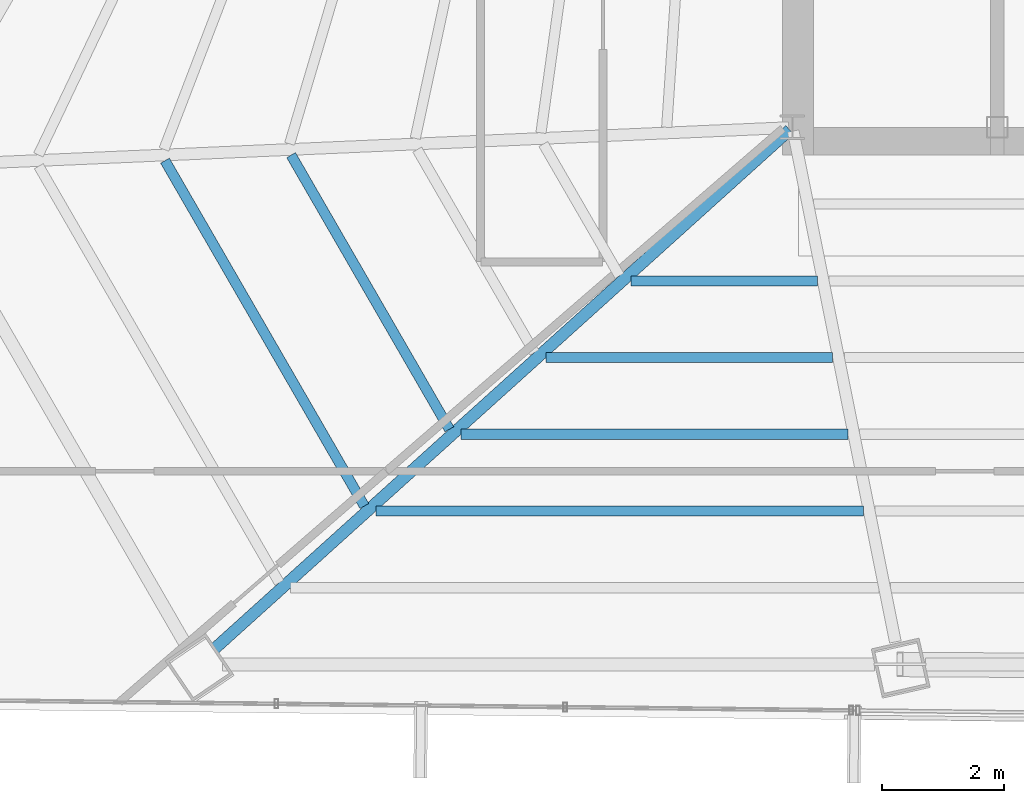
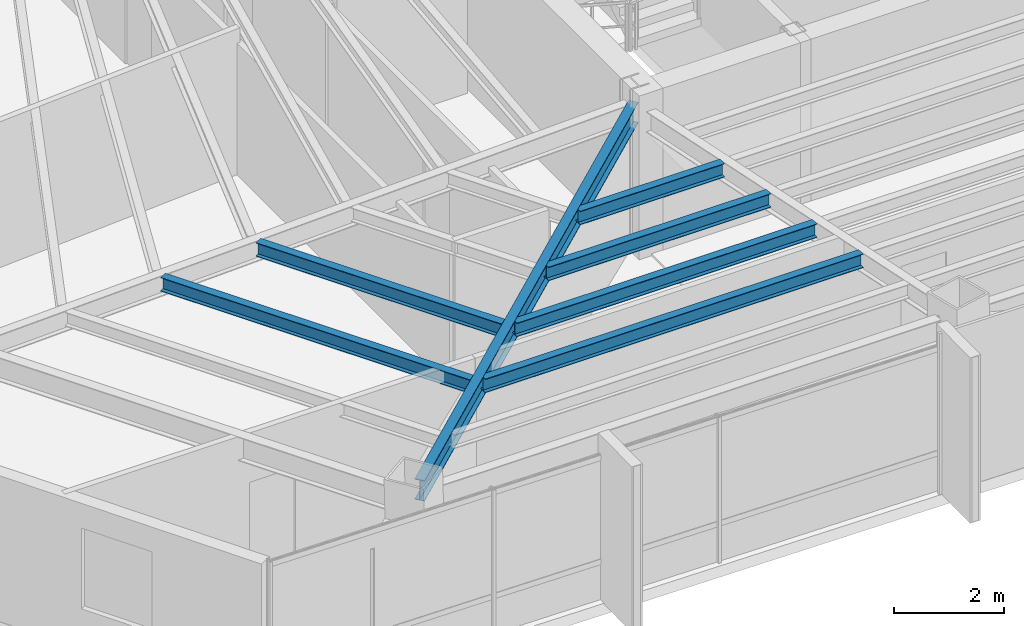
# One storey, part 6 of 40: 7 beams.
"""IFC4 building model written with IfcOpenShell, lengths in metres."""

from ifc_helpers import new_model, si_unit, direction, frame, origin, origin_2d, place, context, subcontext, project, spatial, i_section, extrude, source, transform, mapped, material, material_profile, profile_set, type_object, type_shapes, element, save


model = new_model("IFC4")

# Units and contexts
model_context = context("Model", 3, precision=1e-05, world=origin(), true_north=direction((0.0, 1.0)))
body_context = subcontext(model_context, "Body", "Model", "MODEL_VIEW")
ifc_project = project(units=[si_unit("LENGTHUNIT", "METRE"), si_unit("AREAUNIT", "SQUARE_METRE"), si_unit("VOLUMEUNIT", "CUBIC_METRE"), si_unit("PLANEANGLEUNIT", "RADIAN"), si_unit("MASSUNIT", "GRAM", prefix="KILO")], contexts=[model_context])

# Site, building, storey
site_placement = place(None, origin())
site = spatial("IfcSite", under=ifc_project, at=site_placement, CompositionType="ELEMENT")
building_placement = place(site_placement, origin())
building = spatial("IfcBuilding", under=site, at=building_placement, Name="Caelisora Broadcast Tower", CompositionType="ELEMENT")
storey_placement = place(building_placement, frame((0.0, 0.0, 216.89990234375)))
storey = spatial("IfcBuildingStorey", under=building, at=storey_placement, Name="L57", CompositionType="ELEMENT", Elevation=216.89990234375)

# Beams
ifc_material = material(Name="Steel Grade 350 (AS/NZS 3679.1)", Category="steel")
ifc_material_profile_1 = material_profile(ifc_material, i_section(OverallWidth=0.19091796875, OverallDepth=0.46044921875, WebThickness=0.010009765625, FlangeThickness=0.01611328125, at=origin_2d()), Name="Steel Grade 350 (AS/NZS 3679.1)")
ifc_profile_set_1 = profile_set([ifc_material_profile_1], Name="Steel Grade 350 (AS/NZS 3679.1)")
beam_type_1 = type_object("IfcBeamType", Name="PG06", PredefinedType="BEAM", material=ifc_profile_set_1)
shared_shape_1 = source(origin(), body_context, "Body", "SweptSolid", [
    extrude(i_section(OverallWidth=0.19091796875, OverallDepth=0.46044921875, WebThickness=0.010009765625, FlangeThickness=0.01611328125, at=origin_2d()), origin(), (0.0, 0.0, 1.0), 12.669189453125),
])
type_shapes(beam_type_1, [shared_shape_1])
beam_1_placement = place(storey_placement, frame((30.455322265625, 17.35986328125, 3.02001953125), z_axis=(-0.742525184006, -0.669818147796, 0.0), x_axis=(0.669818147796, -0.742525184006, 0.0)))
element("IfcBeam", 1, at=beam_1_placement, inside=storey, type_object=beam_type_1, Name="L57 beam PG06", PredefinedType="BEAM", context=body_context, shape_type="MappedRepresentation", body=[
    mapped(shared_shape_1, transform((0.0, 0.0, 0.0), scale=1.0)),
])
ifc_material_profile_2 = material_profile(ifc_material, i_section(OverallWidth=0.166015625, OverallDepth=0.30712890625, WebThickness=0.006591796875, FlangeThickness=0.01171875, at=origin_2d()), Name="Steel Grade 350 (AS/NZS 3679.1)")
ifc_profile_set_2 = profile_set([ifc_material_profile_2], Name="Steel Grade 350 (AS/NZS 3679.1)")
beam_type_2 = type_object("IfcBeamType", Name="SB03", PredefinedType="JOIST", material=ifc_profile_set_2)
shared_shape_2 = source(origin(), body_context, "Body", "SweptSolid", [
    extrude(i_section(OverallWidth=0.166015625, OverallDepth=0.30712890625, WebThickness=0.006591796875, FlangeThickness=0.01171875, at=origin_2d()), origin(), (0.0, 0.0, 1.0), 5.175048828125),
])
beam_2_placement = place(storey_placement, frame((22.3046875, 16.947509765625, 3.096435546875), z_axis=(0.499985178294, -0.866033960931, 0.0), x_axis=(0.866033960931, 0.499985178294, 0.0)))
element("IfcBeam", 2, at=beam_2_placement, inside=storey, type_object=beam_type_2, Name="L57 beam SB03", PredefinedType="JOIST", context=body_context, shape_type="MappedRepresentation", body=[
    mapped(shared_shape_2, transform((0.0, 0.0, 0.0), scale=1.0)),
])
shared_shape_3 = source(origin(), body_context, "Body", "SweptSolid", [
    extrude(i_section(OverallWidth=0.166015625, OverallDepth=0.30712890625, WebThickness=0.006591796875, FlangeThickness=0.01171875, at=origin_2d()), origin(), (0.0, 0.0, 1.0), 6.518310546875),
])
beam_3_placement = place(storey_placement, frame((20.242919921875, 16.85693359375, 3.096435546875), z_axis=(0.499986153097, -0.86603339815, 0.0), x_axis=(0.86603339815, 0.499986153097, 0.0)))
element("IfcBeam", 3, at=beam_3_placement, inside=storey, type_object=beam_type_2, Name="L57 beam SB03", PredefinedType="JOIST", context=body_context, shape_type="MappedRepresentation", body=[
    mapped(shared_shape_3, transform((0.0, 0.0, 0.0), scale=1.0)),
])
shared_shape_4 = source(origin(), body_context, "Body", "SweptSolid", [
    extrude(i_section(OverallWidth=0.166015625, OverallDepth=0.30712890625, WebThickness=0.006591796875, FlangeThickness=0.01171875, at=origin_2d()), origin(), (0.0, 0.0, 1.0), 3.048095703125),
])
beam_4_placement = place(storey_placement, frame((27.859375, 14.891845703125, 3.096435546875), z_axis=(1.0, 0.0, 0.0), x_axis=(0.0, 1.0, 0.0)))
element("IfcBeam", 4, at=beam_4_placement, inside=storey, type_object=beam_type_2, Name="L57 beam SB03", PredefinedType="JOIST", context=body_context, shape_type="MappedRepresentation", body=[
    mapped(shared_shape_4, transform((0.0, 0.0, 0.0), scale=1.0)),
])
shared_shape_5 = source(origin(), body_context, "Body", "SweptSolid", [
    extrude(i_section(OverallWidth=0.166015625, OverallDepth=0.30712890625, WebThickness=0.006591796875, FlangeThickness=0.01171875, at=origin_2d()), origin(), (0.0, 0.0, 1.0), 4.68896484375),
])
beam_5_placement = place(storey_placement, frame((26.46923828125, 13.637939453125, 3.096435546875), z_axis=(1.0, 0.0, 0.0), x_axis=(0.0, 1.0, 0.0)))
element("IfcBeam", 5, at=beam_5_placement, inside=storey, type_object=beam_type_2, Name="L57 beam SB03", PredefinedType="JOIST", context=body_context, shape_type="MappedRepresentation", body=[
    mapped(shared_shape_5, transform((0.0, 0.0, 0.0), scale=1.0)),
])
shared_shape_6 = source(origin(), body_context, "Body", "SweptSolid", [
    extrude(i_section(OverallWidth=0.166015625, OverallDepth=0.30712890625, WebThickness=0.006591796875, FlangeThickness=0.01171875, at=origin_2d()), origin(), (0.0, 0.0, 1.0), 6.330078125),
])
beam_6_placement = place(storey_placement, frame((25.0791015625, 12.3837890625, 3.096435546875), z_axis=(1.0, 0.0, 0.0), x_axis=(0.0, 1.0, 0.0)))
element("IfcBeam", 6, at=beam_6_placement, inside=storey, type_object=beam_type_2, Name="L57 beam SB03", PredefinedType="JOIST", context=body_context, shape_type="MappedRepresentation", body=[
    mapped(shared_shape_6, transform((0.0, 0.0, 0.0), scale=1.0)),
])
shared_shape_7 = source(origin(), body_context, "Body", "SweptSolid", [
    extrude(i_section(OverallWidth=0.166015625, OverallDepth=0.30712890625, WebThickness=0.006591796875, FlangeThickness=0.01171875, at=origin_2d()), origin(), (0.0, 0.0, 1.0), 7.97119140625),
])
type_shapes(beam_type_2, [shared_shape_2, shared_shape_3, shared_shape_4, shared_shape_5, shared_shape_6, shared_shape_7])
beam_7_placement = place(storey_placement, frame((23.68896484375, 11.1298828125, 3.096435546875), z_axis=(1.0, 0.0, 0.0), x_axis=(0.0, 1.0, 0.0)))
element("IfcBeam", 7, at=beam_7_placement, inside=storey, type_object=beam_type_2, Name="L57 beam SB03", PredefinedType="JOIST", context=body_context, shape_type="MappedRepresentation", body=[
    mapped(shared_shape_7, transform((0.0, 0.0, 0.0), scale=1.0)),
])

save(model, "model.ifc")
